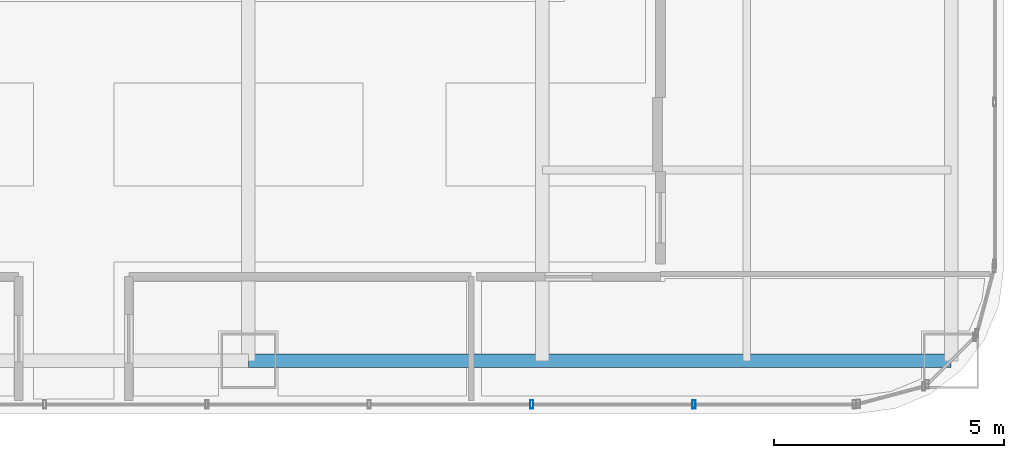
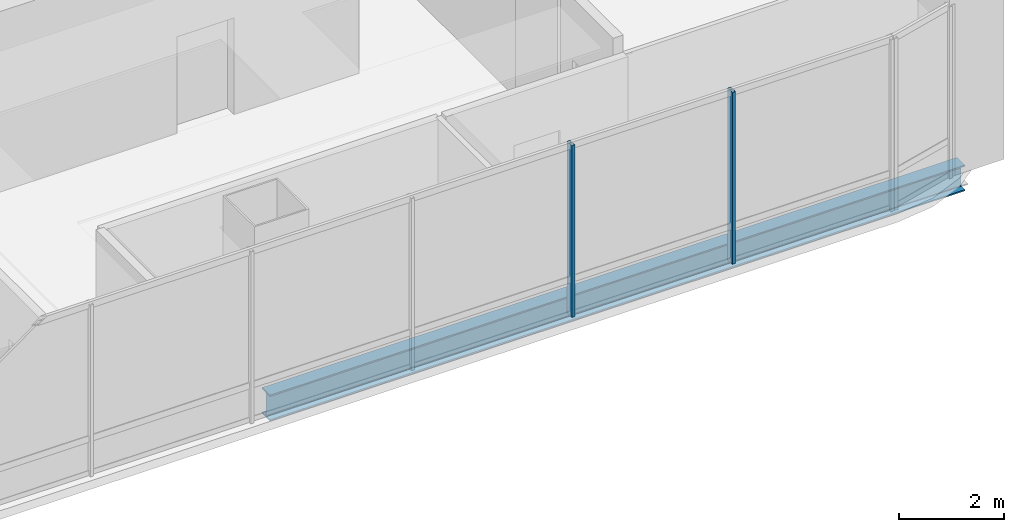
# One storey, part 15 of 42: 2 members, 1 beam, 1 element without a shape of its own.
"""IFC4 building model written with IfcOpenShell, lengths in metres."""

from ifc_helpers import new_model, si_unit, direction, frame, origin, origin_2d, place, context, subcontext, project, spatial, hollow_rectangle, i_section, extrude, material, material_profile, profile_set, type_object, element, aggregate, save


model = new_model("IFC4")

# Units and contexts
model_context = context("Model", 3, precision=1e-05, world=origin(), true_north=direction((0.0, 1.0)))
body_context = subcontext(model_context, "Body", "Model", "MODEL_VIEW")
ifc_project = project(units=[si_unit("LENGTHUNIT", "METRE"), si_unit("AREAUNIT", "SQUARE_METRE"), si_unit("VOLUMEUNIT", "CUBIC_METRE"), si_unit("PLANEANGLEUNIT", "RADIAN"), si_unit("MASSUNIT", "GRAM", prefix="KILO")], contexts=[model_context])

# Site, building, storey
site_placement = place(None, origin())
site = spatial("IfcSite", under=ifc_project, at=site_placement, CompositionType="ELEMENT")
building_placement = place(site_placement, origin())
building = spatial("IfcBuilding", under=site, at=building_placement, Name="Punatoya Terracotta Tower", CompositionType="ELEMENT")
storey_placement = place(building_placement, frame((0.0, 0.0, 296.39990234375)))
storey = spatial("IfcBuildingStorey", under=building, at=storey_placement, Name="L70", CompositionType="ELEMENT", Elevation=296.39990234375)

# Beam
ifc_material_1 = material(Name="Steel S355", Category="steel")
ifc_material_profile_1 = material_profile(ifc_material_1, i_section(OverallWidth=0.300048828125, OverallDepth=0.60009765625, WebThickness=0.015380859375, FlangeThickness=0.030029296875, FilletRadius=0.01806640625, at=origin_2d()))
ifc_profile_set_1 = profile_set([ifc_material_profile_1], Name="Steel S355")
beam_type = type_object("IfcBeamType", Name="BM-PRI-600", PredefinedType="BEAM", material=ifc_profile_set_1)
beam_placement = place(storey_placement, frame((3.800048828125, -17.5, -0.5), z_axis=(1.0, 0.0, 0.0), x_axis=(0.0, 1.0, 0.0)))
element("IfcBeam", 1, at=beam_placement, inside=storey, type_object=beam_type, Name="BM-L70-RG-S3", PredefinedType="BEAM", context=body_context, shape_type="SweptSolid", body=[
    extrude(i_section(OverallWidth=0.300048828125, OverallDepth=0.60009765625, WebThickness=0.015380859375, FlangeThickness=0.030029296875, FilletRadius=0.01806640625, at=origin_2d()), origin(), (0.0, 0.0, 1.0), 15.300048828125),
])

# Curtain wall, members
ifc_material_2 = material(Name="Aluminium 6063-T6 + Double Low-E Glass", Category="aluminium")
curtain_wall_type = type_object("IfcCurtainWallType", Name="CW-M3", PredefinedType="NOTDEFINED", material=ifc_material_2)
curtain_wall_placement = place(storey_placement, origin())
curtain_wall = element("IfcCurtainWall", 2, at=curtain_wall_placement, inside=storey, type_object=curtain_wall_type, Name="L70 Curtain Wall CW-L70-S01-1", PredefinedType="NOTDEFINED")
ifc_material_3 = material(Name="Aluminium 6063-T6", Category="aluminium")
ifc_material_profile_2 = material_profile(ifc_material_3, hollow_rectangle(XDim=0.070068359375, YDim=0.179931640625, WallThickness=0.00390625, at=origin_2d()))
ifc_profile_set_2 = profile_set([ifc_material_profile_2], Name="Aluminium 6063-T6")
member_type = type_object("IfcMemberType", Name="CW-MUL-M3", PredefinedType="MULLION", material=ifc_profile_set_2)
member_1_placement = place(storey_placement, frame((9.968994140625, -18.449951171875, 0.0), z_axis=(0.0, 0.0, 1.0), x_axis=(1.0, 0.0, 0.0)))
member_1 = element("IfcMember", 3, at=member_1_placement, type_object=member_type, Name="CW-L70-S01-1 Mullion 09", PredefinedType="MULLION", context=body_context, shape_type="SweptSolid", body=[
    extrude(hollow_rectangle(XDim=0.070068359375, YDim=0.179931640625, WallThickness=0.00390625, at=origin_2d()), origin(), (0.0, 0.0, 1.0), 4.0),
])
member_2_placement = place(storey_placement, frame((13.5029296875, -18.449951171875, 0.0), z_axis=(0.0, 0.0, 1.0), x_axis=(1.0, 0.0, 0.0)))
member_2 = element("IfcMember", 4, at=member_2_placement, type_object=member_type, Name="CW-L70-S01-1 Mullion 10", PredefinedType="MULLION", context=body_context, shape_type="SweptSolid", body=[
    extrude(hollow_rectangle(XDim=0.070068359375, YDim=0.179931640625, WallThickness=0.00390625, at=origin_2d()), origin(), (0.0, 0.0, 1.0), 4.0),
])
aggregate(curtain_wall, [member_1, member_2])

save(model, "model.ifc")
